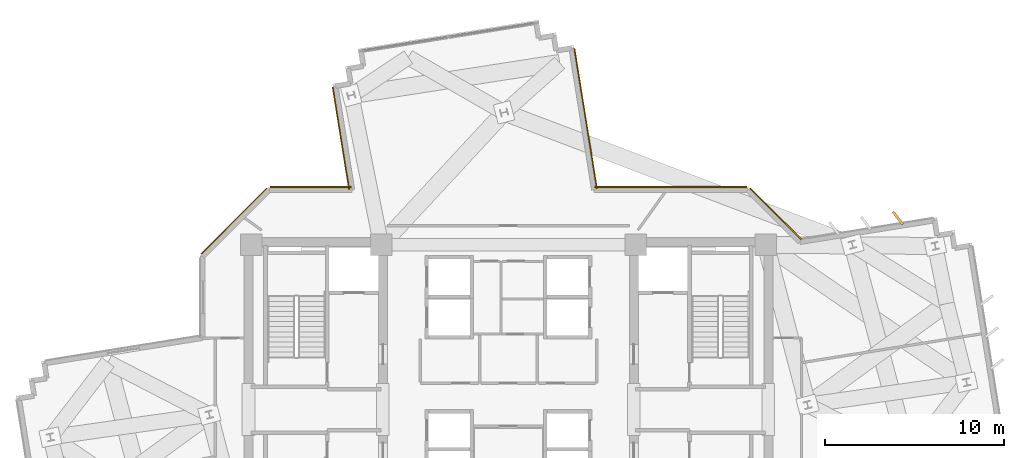
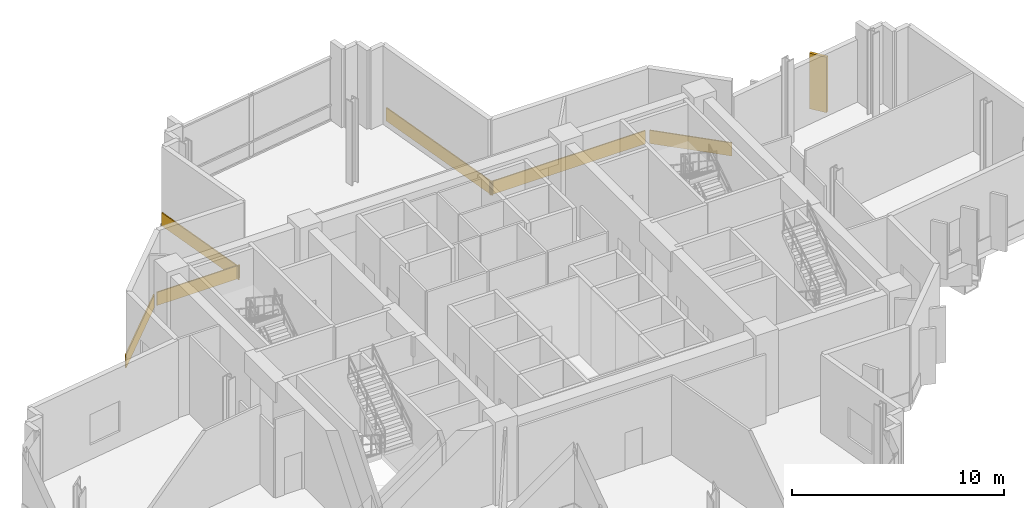
# One storey, part 12 of 12: 7 coverings.
"""IFC4 building model written with IfcOpenShell, lengths in metres."""

from ifc_helpers import new_model, si_unit, direction, frame, origin, origin_2d, place, context, subcontext, project, spatial, rectangle, extrude, source, transform, mapped, material, layer, layer_set, type_object, element, save


model = new_model("IFC4")

# Units and contexts
model_context = context("Model", 3, precision=1e-05, world=origin(), true_north=direction((0.0, 1.0)))
body_context = subcontext(model_context, "Body", "Model", "MODEL_VIEW")
ifc_project = project(units=[si_unit("LENGTHUNIT", "METRE"), si_unit("AREAUNIT", "SQUARE_METRE"), si_unit("VOLUMEUNIT", "CUBIC_METRE"), si_unit("PLANEANGLEUNIT", "RADIAN"), si_unit("MASSUNIT", "GRAM", prefix="KILO")], contexts=[model_context])

# Site, building, storey
site_placement = place(None, origin())
site = spatial("IfcSite", under=ifc_project, at=site_placement, CompositionType="ELEMENT")
building_placement = place(site_placement, origin())
building = spatial("IfcBuilding", under=site, at=building_placement, Name="Zahravan Cultural Tower", CompositionType="ELEMENT")
storey_placement = place(building_placement, frame((0.0, 0.0, 130.800048828125)))
storey = spatial("IfcBuildingStorey", under=building, at=storey_placement, Name="L29", CompositionType="ELEMENT", Elevation=130.800048828125)

# Coverings
ifc_material = material(Name="Terracotta ceramic cladding", Category="masonry")
ifc_layer = layer(ifc_material, 0.06005859375)
ifc_layer_set = layer_set([ifc_layer], Name="Terracotta ceramic cladding")
covering_type = type_object("IfcCoveringType", Name="COV-CLAD-TC60", PredefinedType="CLADDING", material=ifc_layer_set)
shared_shape_1 = source(origin(), body_context, "Body", "SweptSolid", [
    extrude(rectangle(XDim=5.157958984375, YDim=0.06005859375, at=origin_2d()), origin(), (0.0, 0.0, 1.0), 0.760009765625),
])
covering_1_placement = place(storey_placement, frame((20.682373046875, 37.517578125, 0.02001953125), z_axis=(0.0, 0.0, 1.0), x_axis=(0.707106781187, 0.707106781187, 0.0)))
element("IfcCovering", 1, at=covering_1_placement, inside=storey, type_object=covering_type, Name="L29 Terracotta Spandrel Cladding 39", PredefinedType="CLADDING", context=body_context, shape_type="MappedRepresentation", body=[
    mapped(shared_shape_1, transform((0.0, 0.0, 0.0), x_axis=(1.0, 0.0, 0.0), y_axis=(0.0, 1.0, 0.0), z_axis=(0.0, 0.0, 1.0), scale=1.0)),
])
shared_shape_2 = source(origin(), body_context, "Body", "SweptSolid", [
    extrude(rectangle(XDim=0.8798828125, YDim=0.139892578125, at=origin_2d()), origin(), (0.0, 0.0, 1.0), 3.199951171875),
])
covering_2_placement = place(storey_placement, frame((57.723388671875, 37.6884765625, 0.0498046875), z_axis=(0.0, 0.0, 1.0), x_axis=(-0.603486360302, 0.797373320929, 0.0)))
element("IfcCovering", 2, at=covering_2_placement, inside=storey, type_object=covering_type, Name="L29 Herringbone Terracotta Fin 03", PredefinedType="CLADDING", context=body_context, shape_type="MappedRepresentation", body=[
    mapped(shared_shape_2, transform((0.0, 0.0, 0.0), x_axis=(1.0, 0.0, 0.0), y_axis=(0.0, 1.0, 0.0), z_axis=(0.0, 0.0, 1.0), scale=1.0)),
])
shared_shape_3 = source(origin(), body_context, "Body", "SweptSolid", [
    extrude(rectangle(XDim=4.528564453125, YDim=0.06005859375, at=origin_2d()), origin(), (0.0, 0.0, 1.0), 0.760009765625),
])
covering_3_placement = place(storey_placement, frame((24.972412109375, 39.425048828125, 0.02001953125), z_axis=(0.0, 0.0, 1.0), x_axis=(1.0, 0.0, 0.0)))
element("IfcCovering", 3, at=covering_3_placement, inside=storey, type_object=covering_type, Name="L29 Terracotta Spandrel Cladding 40", PredefinedType="CLADDING", context=body_context, shape_type="MappedRepresentation", body=[
    mapped(shared_shape_3, transform((0.0, 0.0, 0.0), x_axis=(1.0, 0.0, 0.0), y_axis=(0.0, 1.0, 0.0), z_axis=(0.0, 0.0, 1.0), scale=1.0)),
])
shared_shape_4 = source(origin(), body_context, "Body", "SweptSolid", [
    extrude(rectangle(XDim=5.77392578125, YDim=0.06005859375, at=origin_2d()), origin(), (0.0, 0.0, 1.0), 0.760009765625),
])
covering_4_placement = place(storey_placement, frame((26.658203125, 42.1337890625, 0.02001953125), z_axis=(0.0, 0.0, 1.0), x_axis=(-0.158502730052, 0.987358539015, 0.0)))
element("IfcCovering", 4, at=covering_4_placement, inside=storey, type_object=covering_type, Name="L29 Terracotta Spandrel Cladding 41", PredefinedType="CLADDING", context=body_context, shape_type="MappedRepresentation", body=[
    mapped(shared_shape_4, transform((0.0, 0.0, 0.0), x_axis=(1.0, 0.0, 0.0), y_axis=(0.0, 1.0, 0.0), z_axis=(0.0, 0.0, 1.0), scale=1.0)),
])
shared_shape_5 = source(origin(), body_context, "Body", "SweptSolid", [
    extrude(rectangle(XDim=7.912109375, YDim=0.06005859375, at=origin_2d()), origin(), (0.0, 0.0, 1.0), 0.760009765625),
])
covering_5_placement = place(storey_placement, frame((40.30517578125, 43.24169921875, 0.02001953125), z_axis=(0.0, 0.0, 1.0), x_axis=(0.158502730052, -0.987358539015, 0.0)))
element("IfcCovering", 5, at=covering_5_placement, inside=storey, type_object=covering_type, Name="L29 Terracotta Spandrel Cladding 50", PredefinedType="CLADDING", context=body_context, shape_type="MappedRepresentation", body=[
    mapped(shared_shape_5, transform((0.0, 0.0, 0.0), x_axis=(1.0, 0.0, 0.0), y_axis=(0.0, 1.0, 0.0), z_axis=(0.0, 0.0, 1.0), scale=1.0)),
])
shared_shape_6 = source(origin(), body_context, "Body", "SweptSolid", [
    extrude(rectangle(XDim=8.46484375, YDim=0.06005859375, at=origin_2d()), origin(), (0.0, 0.0, 1.0), 0.760009765625),
])
covering_6_placement = place(storey_placement, frame((45.0595703125, 39.425048828125, 0.02001953125), z_axis=(0.0, 0.0, 1.0), x_axis=(1.0, 0.0, 0.0)))
element("IfcCovering", 6, at=covering_6_placement, inside=storey, type_object=covering_type, Name="L29 Terracotta Spandrel Cladding 51", PredefinedType="CLADDING", context=body_context, shape_type="MappedRepresentation", body=[
    mapped(shared_shape_6, transform((0.0, 0.0, 0.0), x_axis=(1.0, 0.0, 0.0), y_axis=(0.0, 1.0, 0.0), z_axis=(0.0, 0.0, 1.0), scale=1.0)),
])
shared_shape_7 = source(origin(), body_context, "Body", "SweptSolid", [
    extrude(rectangle(XDim=4.010009765625, YDim=0.06005859375, at=origin_2d()), origin(), (0.0, 0.0, 1.0), 0.760009765625),
])
covering_7_placement = place(storey_placement, frame((50.911865234375, 37.923583984375, 0.02001953125), z_axis=(0.0, 0.0, 1.0), x_axis=(0.707106781187, -0.707106781187, 0.0)))
element("IfcCovering", 7, at=covering_7_placement, inside=storey, type_object=covering_type, Name="L29 Terracotta Spandrel Cladding 52", PredefinedType="CLADDING", context=body_context, shape_type="MappedRepresentation", body=[
    mapped(shared_shape_7, transform((0.0, 0.0, 0.0), x_axis=(1.0, 0.0, 0.0), y_axis=(0.0, 1.0, 0.0), z_axis=(0.0, 0.0, 1.0), scale=1.0)),
])

save(model, "model.ifc")
